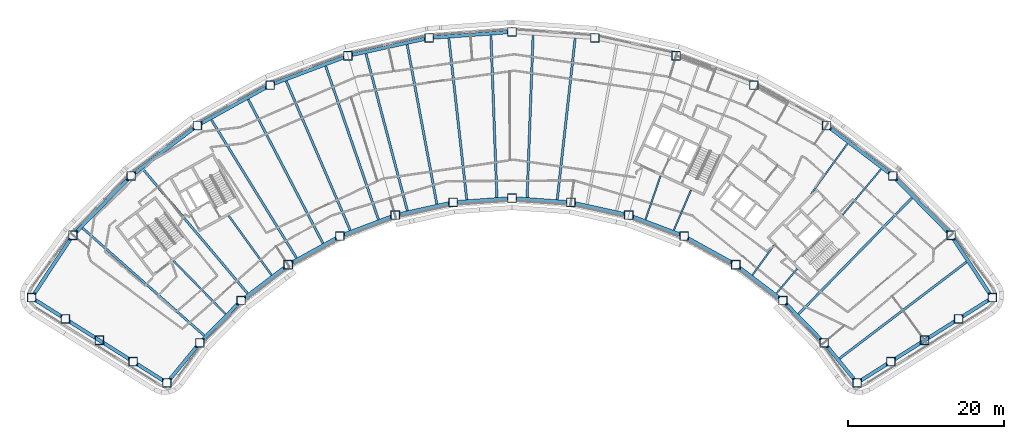
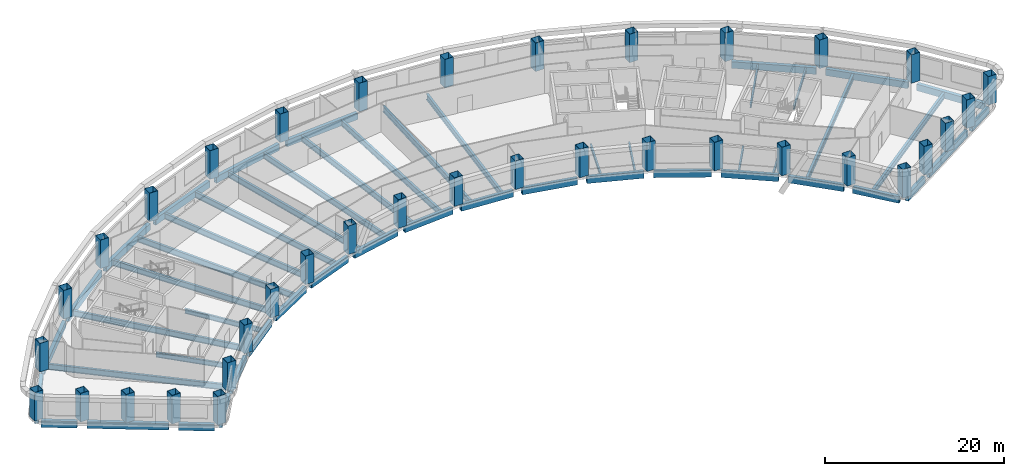
# One storey, part 1 of 12: 52 beams, 36 columns.
"""IFC4 building model written with IfcOpenShell, lengths in metres."""

from ifc_helpers import new_model, si_unit, direction, frame, origin, origin_2d, place, context, subcontext, project, spatial, hollow_rectangle, i_section, extrude, material, material_profile, profile_set, type_object, element, save


model = new_model("IFC4")

# Units and contexts
model_context = context("Model", 3, precision=1e-05, world=origin(), true_north=direction((0.0, 1.0)))
body_context = subcontext(model_context, "Body", "Model", "MODEL_VIEW")
ifc_project = project(units=[si_unit("LENGTHUNIT", "METRE"), si_unit("AREAUNIT", "SQUARE_METRE"), si_unit("VOLUMEUNIT", "CUBIC_METRE"), si_unit("PLANEANGLEUNIT", "RADIAN"), si_unit("MASSUNIT", "GRAM", prefix="KILO")], contexts=[model_context])

# Site, building, storey
site_placement = place(None, origin())
site = spatial("IfcSite", under=ifc_project, at=site_placement, CompositionType="ELEMENT")
building_placement = place(site_placement, origin())
building = spatial("IfcBuilding", under=site, at=building_placement, Name="Tuul Gate Civic Tower", CompositionType="ELEMENT")
storey_placement = place(building_placement, frame((0.0, 0.0, 103.5)))
storey = spatial("IfcBuildingStorey", under=building, at=storey_placement, Name="Level 23", CompositionType="ELEMENT", Elevation=103.5)

# Columns
ifc_material_1 = material(Name="Steel S355", Category="steel")
ifc_material_profile_1 = material_profile(ifc_material_1, hollow_rectangle(XDim=1.10009765625, YDim=1.10009765625, WallThickness=0.035888671875, at=origin_2d()), Name="BOX1100x1100x36")
ifc_profile_set_1 = profile_set([ifc_material_profile_1], Name="Steel S355")
column_type = type_object("IfcColumnType", Name="STR-COLUMN-BOX1100x1100x36", PredefinedType="COLUMN", material=ifc_profile_set_1)
for number, where, z_axis, x_axis, name in (
    (1, (71.5, -20.44189453125, 0.0), (0.0, 0.0, 1.0), (1.0, 0.0, 0.0), "Column"),
    (2, (66.200927734375, -12.428955078125, 0.0), (0.0, 0.0, 1.0), (1.0, 0.0, 0.0), "Column"),
    (3, (58.72607421875, -4.803955078125, 0.0), (0.0, 0.0, 1.0), (1.0, 0.0, 0.0), "Column"),
    (4, (50.23095703125, 1.6640625, 0.0), (0.0, 0.0, 1.0), (1.0, 0.0, 0.0), "Column"),
    (5, (40.89306640625, 6.840087890625, 0.0), (0.0, 0.0, 1.0), (1.0, 0.0, 0.0), "Column"),
    (6, (30.905029296875, 10.616943359375, 0.0), (0.0, 0.0, 1.0), (1.0, 0.0, 0.0), "Column"),
    (7, (20.47802734375, 12.9150390625, 0.0), (0.0, 0.0, 1.0), (1.0, 0.0, 0.0), "Column"),
    (8, (9.8291015625, 13.68603515625, 0.0), (0.0, 0.0, 1.0), (1.0, 0.0, 0.0), "Column"),
    (9, (-0.821044921875, 12.9150390625, 0.0), (0.0, 0.0, 1.0), (1.0, 0.0, 0.0), "Column"),
    (10, (-11.248046875, 10.616943359375, 0.0), (0.0, 0.0, 1.0), (1.0, 0.0, 0.0), "Column"),
    (11, (-21.235107421875, 6.840087890625, 0.0), (0.0, 0.0, 1.0), (1.0, 0.0, 0.0), "Column"),
    (12, (-30.573974609375, 1.6640625, 0.0), (0.0, 0.0, 1.0), (1.0, 0.0, 0.0), "Column"),
    (13, (-39.069091796875, -4.803955078125, 0.0), (0.0, 0.0, 1.0), (1.0, 0.0, 0.0), "Column"),
    (14, (-46.54296875, -12.428955078125, 0.0), (0.0, 0.0, 1.0), (1.0, 0.0, 0.0), "Column"),
    (15, (-51.842041015625, -20.44189453125, 0.0), (0.0, 0.0, 1.0), (1.0, 0.0, 0.0), "Column"),
    (16, (-47.5, -23.176025390625, 0.0), (0.0, 0.0, 1.0), (1.0, 0.0, 0.0), "Column"),
    (17, (-43.156982421875, -25.910888671875, 0.0), (0.0, 0.0, 1.0), (1.0, 0.0, 0.0), "Column"),
    (18, (-38.81494140625, -28.64599609375, 0.0), (0.0, 0.0, 1.0), (1.0, 0.0, 0.0), "Column"),
    (19, (-34.471923828125, -31.3798828125, 0.0), (0.0, 0.0, 1.0), (1.0, 0.0, 0.0), "Column"),
    (20, (-30.251953125, -26.238037109375, 0.0), (0.0, 0.0, 1.0), (1.0, 0.0, 0.0), "Column"),
    (21, (-24.93798828125, -20.81689453125, 0.0), (0.0, 0.0, 1.0), (1.0, 0.0, 0.0), "Column"),
    (22, (-18.89794921875, -16.218017578125, 0.0), (0.0, 0.0, 1.0), (1.0, 0.0, 0.0), "Column"),
    (23, (-12.258056640625, -12.537109375, 0.0), (0.0, 0.0, 1.0), (1.0, 0.0, 0.0), "Column"),
    (24, (-5.156982421875, -9.85205078125, 0.0), (0.0, 0.0, 1.0), (1.0, 0.0, 0.0), "Column"),
    (25, (2.257080078125, -8.218017578125, 0.0), (0.0, 0.0, 1.0), (1.0, 0.0, 0.0), "Column"),
    (26, (9.8291015625, -7.6689453125, 0.0), (0.0, 0.0, 1.0), (1.0, 0.0, 0.0), "Column"),
    (27, (17.40087890625, -8.218017578125, 0.0), (0.0, 0.0, 1.0), (1.0, 0.0, 0.0), "Column"),
    (28, (24.81494140625, -9.85205078125, 0.0), (0.0, 0.0, 1.0), (1.0, 0.0, 0.0), "Column"),
    (29, (31.9150390625, -12.537109375, 0.0), (0.0, 0.0, 1.0), (1.0, 0.0, 0.0), "Column"),
    (30, (38.554931640625, -16.218017578125, 0.0), (0.0, 0.0, 1.0), (1.0, 0.0, 0.0), "Column"),
    (31, (44.595947265625, -20.81689453125, 0.0), (0.0, 0.0, 1.0), (1.0, 0.0, 0.0), "Column"),
    (32, (49.909912109375, -26.238037109375, 0.0), (0.0, 0.0, 1.0), (1.0, 0.0, 0.0), "Column"),
    (33, (54.1298828125, -31.3798828125, 0.0), (0.0, 0.0, 1.0), (1.0, 0.0, 0.0), "Column"),
    (34, (58.471923828125, -28.64599609375, 0.0), (0.0, 0.0, 1.0), (1.0, 0.0, 0.0), "Column"),
    (35, (62.81494140625, -25.910888671875, 0.0), (0.0, 0.0, 1.0), (1.0, 0.0, 0.0), "Column"),
    (36, (67.156982421875, -23.176025390625, 0.0), (0.0, 0.0, 1.0), (1.0, 0.0, 0.0), "Column"),
):
    element("IfcColumn", number, at=place(storey_placement, frame(where, z_axis=z_axis, x_axis=x_axis)), inside=storey, type_object=column_type, Name=name, PredefinedType="COLUMN", context=body_context, shape_type="SweptSolid", body=[
        extrude(hollow_rectangle(XDim=1.10009765625, YDim=1.10009765625, WallThickness=0.035888671875, at=origin_2d()), origin(), (0.0, 0.0, 1.0), 3.89990234375),
    ])

# Beams
ifc_material_2 = material(Name="Steel S355", Category="steel")
ifc_material_profile_2 = material_profile(ifc_material_2, i_section(OverallWidth=0.199951171875, OverallDepth=0.5, WebThickness=0.010009765625, FlangeThickness=0.01611328125, at=origin_2d()), Name="PG500x200x10x16")
ifc_profile_set_2 = profile_set([ifc_material_profile_2], Name="Steel S355")
beam_type_1 = type_object("IfcBeamType", Name="STR-FLOOR BEAM-PG500x200x10x16", PredefinedType="BEAM", material=ifc_profile_set_2)
beam_1_placement = place(storey_placement, frame((43.78662109375, -19.88671875, -0.550048828125), z_axis=(0.644164873832, 0.764886668286, 0.0), x_axis=(-0.764886668286, 0.644164873832, 0.0)))
element("IfcBeam", 37, at=beam_1_placement, inside=storey, type_object=beam_type_1, Name="Floor beam", PredefinedType="BEAM", context=body_context, shape_type="SweptSolid", body=[
    extrude(i_section(OverallWidth=0.199951171875, OverallDepth=0.5, WebThickness=0.010009765625, FlangeThickness=0.01611328125, at=origin_2d()), origin(), (0.0, 0.0, 1.0), 4.129638671875),
])
beam_2_placement = place(storey_placement, frame((52.270263671875, -9.812255859375, -0.550048828125), z_axis=(0.644131817174, 0.764914506402, 0.0), x_axis=(-0.764914506402, 0.644131817174, 0.0)))
element("IfcBeam", 38, at=beam_2_placement, inside=storey, type_object=beam_type_1, Name="Floor beam", PredefinedType="BEAM", context=body_context, shape_type="SweptSolid", body=[
    extrude(i_section(OverallWidth=0.199951171875, OverallDepth=0.5, WebThickness=0.010009765625, FlangeThickness=0.01611328125, at=origin_2d()), origin(), (0.0, 0.0, 1.0), 7.65478515625),
])
beam_3_placement = place(storey_placement, frame((40.6982421875, -17.535400390625, -0.550048828125), z_axis=(0.586092436702, 0.810244195068, 0.0), x_axis=(-0.810244195068, 0.586092436702, 0.0)))
element("IfcBeam", 39, at=beam_3_placement, inside=storey, type_object=beam_type_1, Name="Floor beam", PredefinedType="BEAM", context=body_context, shape_type="SweptSolid", body=[
    extrude(i_section(OverallWidth=0.199951171875, OverallDepth=0.5, WebThickness=0.010009765625, FlangeThickness=0.01611328125, at=origin_2d()), origin(), (0.0, 0.0, 1.0), 4.73779296875),
])
beam_4_placement = place(storey_placement, frame((48.2353515625, -7.11572265625, -0.550048828125), z_axis=(0.586078163081, 0.810254519741, 0.0), x_axis=(-0.810254519741, 0.586078163081, 0.0)))
element("IfcBeam", 40, at=beam_4_placement, inside=storey, type_object=beam_type_1, Name="Floor beam", PredefinedType="BEAM", context=body_context, shape_type="SweptSolid", body=[
    extrude(i_section(OverallWidth=0.199951171875, OverallDepth=0.5, WebThickness=0.010009765625, FlangeThickness=0.01611328125, at=origin_2d()), origin(), (0.0, 0.0, 1.0), 7.94677734375),
])
beam_5_placement = place(storey_placement, frame((30.60546875, -11.7744140625, -0.550048828125), z_axis=(0.394202846621, 0.919023457653, 0.0), x_axis=(-0.919023457653, 0.394202846621, 0.0)))
element("IfcBeam", 41, at=beam_5_placement, inside=storey, type_object=beam_type_1, Name="Floor beam", PredefinedType="BEAM", context=body_context, shape_type="SweptSolid", body=[
    extrude(i_section(OverallWidth=0.199951171875, OverallDepth=0.5, WebThickness=0.010009765625, FlangeThickness=0.01611328125, at=origin_2d()), origin(), (0.0, 0.0, 1.0), 5.611083984375),
])
beam_6_placement = place(storey_placement, frame((26.97509765625, -10.401611328125, -0.550048828125), z_axis=(0.325486996398, 0.945546516664, 0.0), x_axis=(-0.945546516664, 0.325486996398, 0.0)))
element("IfcBeam", 42, at=beam_6_placement, inside=storey, type_object=beam_type_1, Name="Floor beam", PredefinedType="BEAM", context=body_context, shape_type="SweptSolid", body=[
    extrude(i_section(OverallWidth=0.199951171875, OverallDepth=0.5, WebThickness=0.010009765625, FlangeThickness=0.01611328125, at=origin_2d()), origin(), (0.0, 0.0, 1.0), 5.930908203125),
])
ifc_material_3 = material(Name="Steel S355", Category="steel")
ifc_material_profile_3 = material_profile(ifc_material_3, i_section(OverallWidth=0.25, OverallDepth=0.64990234375, WebThickness=0.011962890625, FlangeThickness=0.02001953125, at=origin_2d()), Name="PG650x250x12x20")
ifc_profile_set_3 = profile_set([ifc_material_profile_3], Name="Steel S355")
beam_type_2 = type_object("IfcBeamType", Name="STR-FLOOR BEAM-PG650x250x12x20", PredefinedType="BEAM", material=ifc_profile_set_3)
beam_7_placement = place(storey_placement, frame((-21.040771484375, -17.53515625, -0.625), z_axis=(-0.586071957424, 0.810259008417, 0.0), x_axis=(-0.810259008417, -0.586071957424, 0.0)))
element("IfcBeam", 43, at=beam_7_placement, inside=storey, type_object=beam_type_2, Name="Floor beam", PredefinedType="BEAM", context=body_context, shape_type="SweptSolid", body=[
    extrude(i_section(OverallWidth=0.25, OverallDepth=0.64990234375, WebThickness=0.011962890625, FlangeThickness=0.02001953125, at=origin_2d()), origin(), (0.0, 0.0, 1.0), 9.4111328125),
])
beam_8_placement = place(storey_placement, frame((-26.96923828125, -22.531982421875, -0.625), z_axis=(-0.698693179665, 0.715421442711, 0.0), x_axis=(-0.715421442711, -0.698693179665, 0.0)))
element("IfcBeam", 44, at=beam_8_placement, inside=storey, type_object=beam_type_2, Name="Floor beam", PredefinedType="BEAM", context=body_context, shape_type="SweptSolid", body=[
    extrude(i_section(OverallWidth=0.25, OverallDepth=0.64990234375, WebThickness=0.011962890625, FlangeThickness=0.02001953125, at=origin_2d()), origin(), (0.0, 0.0, 1.0), 9.5302734375),
])
ifc_material_4 = material(Name="Steel S355", Category="steel")
ifc_material_profile_4 = material_profile(ifc_material_4, i_section(OverallWidth=0.300048828125, OverallDepth=0.800048828125, WebThickness=0.013916015625, FlangeThickness=0.02490234375, at=origin_2d()), Name="PG800x300x14x25")
ifc_profile_set_4 = profile_set([ifc_material_profile_4], Name="Steel S355")
beam_type_3 = type_object("IfcBeamType", Name="STR-FLOOR BEAM-PG800x300x14x25", PredefinedType="BEAM", material=ifc_profile_set_4)
beam_9_placement = place(storey_placement, frame((51.8837890625, -28.2490234375, -0.699951171875), z_axis=(0.796146559843, 0.605103838403, 0.0), x_axis=(-0.605103838403, 0.796146559843, 0.0)))
element("IfcBeam", 45, at=beam_9_placement, inside=storey, type_object=beam_type_3, Name="Floor beam", PredefinedType="BEAM", context=body_context, shape_type="SweptSolid", body=[
    extrude(i_section(OverallWidth=0.300048828125, OverallDepth=0.800048828125, WebThickness=0.013916015625, FlangeThickness=0.02490234375, at=origin_2d()), origin(), (0.0, 0.0, 1.0), 20.46240234375),
])
beam_10_placement = place(storey_placement, frame((46.627197265625, -22.531982421875, -0.699951171875), z_axis=(0.698684495675, 0.715429923544, 0.0), x_axis=(-0.715429923544, 0.698684495675, 0.0)))
element("IfcBeam", 46, at=beam_10_placement, inside=storey, type_object=beam_type_3, Name="Floor beam", PredefinedType="BEAM", context=body_context, shape_type="SweptSolid", body=[
    extrude(i_section(OverallWidth=0.300048828125, OverallDepth=0.800048828125, WebThickness=0.013916015625, FlangeThickness=0.02490234375, at=origin_2d()), origin(), (0.0, 0.0, 1.0), 20.804931640625),
])
beam_11_placement = place(storey_placement, frame((15.64013671875, -7.839599609375, -0.699951171875), z_axis=(0.110288630292, 0.993899601584, 0.0), x_axis=(-0.993899601584, 0.110288630292, 0.0)))
element("IfcBeam", 47, at=beam_11_placement, inside=storey, type_object=beam_type_3, Name="Floor beam", PredefinedType="BEAM", context=body_context, shape_type="SweptSolid", body=[
    extrude(i_section(OverallWidth=0.300048828125, OverallDepth=0.800048828125, WebThickness=0.013916015625, FlangeThickness=0.02490234375, at=origin_2d()), origin(), (0.0, 0.0, 1.0), 20.81494140625),
])
for number, where, z_axis, x_axis, name in (
    (48, (11.769287109375, -7.55908203125, -0.699951171875), (0.036833774102, 0.999321406298, 0.0), (-0.999321406298, 0.036833774102, 0.0), "Floor beam"),
    (49, (7.888427734375, -7.55908203125, -0.699951171875), (-0.036822059508, 0.999321838015, 0.0), (-0.999321838015, -0.036822059508, 0.0), "Floor beam"),
):
    element("IfcBeam", number, at=place(storey_placement, frame(where, z_axis=z_axis, x_axis=x_axis)), inside=storey, type_object=beam_type_3, Name=name, PredefinedType="BEAM", context=body_context, shape_type="SweptSolid", body=[
        extrude(i_section(OverallWidth=0.300048828125, OverallDepth=0.800048828125, WebThickness=0.013916015625, FlangeThickness=0.02490234375, at=origin_2d()), origin(), (0.0, 0.0, 1.0), 20.8125),
    ])
beam_12_placement = place(storey_placement, frame((4.017578125, -7.839599609375, -0.699951171875), z_axis=(-0.110277043848, 0.993900887212, 0.0), x_axis=(-0.993900887212, -0.110277043848, 0.0)))
element("IfcBeam", 50, at=beam_12_placement, inside=storey, type_object=beam_type_3, Name="Floor beam", PredefinedType="BEAM", context=body_context, shape_type="SweptSolid", body=[
    extrude(i_section(OverallWidth=0.300048828125, OverallDepth=0.800048828125, WebThickness=0.013916015625, FlangeThickness=0.02490234375, at=origin_2d()), origin(), (0.0, 0.0, 1.0), 20.81494140625),
])
beam_13_placement = place(storey_placement, frame((0.180419921875, -8.419677734375, -0.699951171875), z_axis=(-0.183145230157, 0.983085868412, 0.0), x_axis=(-0.983085868412, -0.183145230157, 0.0)))
element("IfcBeam", 51, at=beam_13_placement, inside=storey, type_object=beam_type_3, Name="Floor beam", PredefinedType="BEAM", context=body_context, shape_type="SweptSolid", body=[
    extrude(i_section(OverallWidth=0.300048828125, OverallDepth=0.800048828125, WebThickness=0.013916015625, FlangeThickness=0.02490234375, at=origin_2d()), origin(), (0.0, 0.0, 1.0), 20.8115234375),
])
beam_14_placement = place(storey_placement, frame((-3.609619140625, -9.2548828125, -0.699951171875), z_axis=(-0.255004720301, 0.96693980817, 0.0), x_axis=(-0.96693980817, -0.255004720301, 0.0)))
element("IfcBeam", 52, at=beam_14_placement, inside=storey, type_object=beam_type_3, Name="Floor beam", PredefinedType="BEAM", context=body_context, shape_type="SweptSolid", body=[
    extrude(i_section(OverallWidth=0.300048828125, OverallDepth=0.800048828125, WebThickness=0.013916015625, FlangeThickness=0.02490234375, at=origin_2d()), origin(), (0.0, 0.0, 1.0), 20.817626953125),
])
beam_15_placement = place(storey_placement, frame((-7.3173828125, -10.401611328125, -0.699951171875), z_axis=(-0.325486974479, 0.945546524209, 0.0), x_axis=(-0.945546524209, -0.325486974479, 0.0)))
element("IfcBeam", 53, at=beam_15_placement, inside=storey, type_object=beam_type_3, Name="Floor beam", PredefinedType="BEAM", context=body_context, shape_type="SweptSolid", body=[
    extrude(i_section(OverallWidth=0.300048828125, OverallDepth=0.800048828125, WebThickness=0.013916015625, FlangeThickness=0.02490234375, at=origin_2d()), origin(), (0.0, 0.0, 1.0), 20.809326171875),
])
beam_16_placement = place(storey_placement, frame((-10.94775390625, -11.774169921875, -0.699951171875), z_axis=(-0.394200920337, 0.919024283904, 0.0), x_axis=(-0.919024283904, -0.394200920337, 0.0)))
element("IfcBeam", 54, at=beam_16_placement, inside=storey, type_object=beam_type_3, Name="Floor beam", PredefinedType="BEAM", context=body_context, shape_type="SweptSolid", body=[
    extrude(i_section(OverallWidth=0.300048828125, OverallDepth=0.800048828125, WebThickness=0.013916015625, FlangeThickness=0.02490234375, at=origin_2d()), origin(), (0.0, 0.0, 1.0), 20.8193359375),
])
beam_17_placement = place(storey_placement, frame((-14.442626953125, -13.462158203125, -0.699951171875), z_axis=(-0.460777059353, 0.887515916237, 0.0), x_axis=(-0.887515916237, -0.460777059353, 0.0)))
element("IfcBeam", 55, at=beam_17_placement, inside=storey, type_object=beam_type_3, Name="Floor beam", PredefinedType="BEAM", context=body_context, shape_type="SweptSolid", body=[
    extrude(i_section(OverallWidth=0.300048828125, OverallDepth=0.800048828125, WebThickness=0.013916015625, FlangeThickness=0.02490234375, at=origin_2d()), origin(), (0.0, 0.0, 1.0), 20.8076171875),
])
beam_18_placement = place(storey_placement, frame((-17.837158203125, -15.343994140625, -0.699951171875), z_axis=(-0.524856706834, 0.851190599861, 0.0), x_axis=(-0.851190599861, -0.524856706834, 0.0)))
element("IfcBeam", 56, at=beam_18_placement, inside=storey, type_object=beam_type_3, Name="Floor beam", PredefinedType="BEAM", context=body_context, shape_type="SweptSolid", body=[
    extrude(i_section(OverallWidth=0.300048828125, OverallDepth=0.800048828125, WebThickness=0.013916015625, FlangeThickness=0.02490234375, at=origin_2d()), origin(), (0.0, 0.0, 1.0), 20.82275390625),
])
beam_19_placement = place(storey_placement, frame((-24.12890625, -19.88671875, -0.699951171875), z_axis=(-0.644132135775, 0.764914238109, 0.0), x_axis=(-0.764914238109, -0.644132135775, 0.0)))
element("IfcBeam", 57, at=beam_19_placement, inside=storey, type_object=beam_type_3, Name="Floor beam", PredefinedType="BEAM", context=body_context, shape_type="SweptSolid", body=[
    extrude(i_section(OverallWidth=0.300048828125, OverallDepth=0.800048828125, WebThickness=0.013916015625, FlangeThickness=0.02490234375, at=origin_2d()), origin(), (0.0, 0.0, 1.0), 20.82568359375),
])
beam_20_placement = place(storey_placement, frame((-29.686767578125, -25.30419921875, -0.699951171875), z_axis=(-0.749447427269, 0.662063859277, 0.0), x_axis=(-0.662063859277, -0.749447427269, 0.0)))
element("IfcBeam", 58, at=beam_20_placement, inside=storey, type_object=beam_type_3, Name="Floor beam", PredefinedType="BEAM", context=body_context, shape_type="SweptSolid", body=[
    extrude(i_section(OverallWidth=0.300048828125, OverallDepth=0.800048828125, WebThickness=0.013916015625, FlangeThickness=0.02490234375, at=origin_2d()), origin(), (0.0, 0.0, 1.0), 20.82861328125),
])
ifc_material_5 = material(Name="Steel S355", Category="steel")
ifc_material_profile_5 = material_profile(ifc_material_5, hollow_rectangle(XDim=0.449951171875, YDim=0.89990234375, WallThickness=0.02490234375, at=origin_2d()), Name="BOX900x450x25")
ifc_profile_set_5 = profile_set([ifc_material_profile_5], Name="Steel S355")
beam_type_4 = type_object("IfcBeamType", Name="STR-SPANDREL BEAM-BOX900x450x25", PredefinedType="BEAM", material=ifc_profile_set_5)
beam_21_placement = place(storey_placement, frame((71.196533203125, -19.983154296875, -0.75), z_axis=(-0.551590080745, 0.83411532945, 0.0), x_axis=(-0.83411532945, -0.551590080745, 0.0)))
element("IfcBeam", 59, at=beam_21_placement, inside=storey, type_object=beam_type_4, Name="Spandrel beam", PredefinedType="BEAM", context=body_context, shape_type="SweptSolid", body=[
    extrude(hollow_rectangle(XDim=0.449951171875, YDim=0.89990234375, WallThickness=0.02490234375, at=origin_2d()), origin(), (0.0, 0.0, 1.0), 8.506591796875),
])
beam_22_placement = place(storey_placement, frame((65.81591796875, -12.0361328125, -0.75), z_axis=(-0.700049238086, 0.714094576548, 0.0), x_axis=(-0.714094576548, -0.700049238086, 0.0)))
element("IfcBeam", 60, at=beam_22_placement, inside=storey, type_object=beam_type_4, Name="Spandrel beam", PredefinedType="BEAM", context=body_context, shape_type="SweptSolid", body=[
    extrude(hollow_rectangle(XDim=0.449951171875, YDim=0.89990234375, WallThickness=0.02490234375, at=origin_2d()), origin(), (0.0, 0.0, 1.0), 9.57763671875),
])
beam_23_placement = place(storey_placement, frame((58.288330078125, -4.470703125, -0.75), z_axis=(-0.795628890165, 0.605784342101, 0.0), x_axis=(-0.605784342101, -0.795628890165, 0.0)))
element("IfcBeam", 61, at=beam_23_placement, inside=storey, type_object=beam_type_4, Name="Spandrel beam", PredefinedType="BEAM", context=body_context, shape_type="SweptSolid", body=[
    extrude(hollow_rectangle(XDim=0.449951171875, YDim=0.89990234375, WallThickness=0.02490234375, at=origin_2d()), origin(), (0.0, 0.0, 1.0), 9.576904296875),
])
beam_24_placement = place(storey_placement, frame((9.280517578125, 13.646240234375, -0.75), z_axis=(-0.997391103387, -0.072187165652, 0.0), x_axis=(0.072187165652, -0.997391103387, 0.0)))
element("IfcBeam", 62, at=beam_24_placement, inside=storey, type_object=beam_type_4, Name="Spandrel beam", PredefinedType="BEAM", context=body_context, shape_type="SweptSolid", body=[
    extrude(hollow_rectangle(XDim=0.449951171875, YDim=0.89990234375, WallThickness=0.02490234375, at=origin_2d()), origin(), (0.0, 0.0, 1.0), 9.577880859375),
])
for number, where, z_axis, x_axis, name in (
    (63, (-1.358154296875, 12.796630859375, -0.75), (-0.976564052188, -0.215226977802, 0.0), (0.215226977802, -0.976564052188, 0.0), "Spandrel beam"),
    (64, (-11.762451171875, 10.42236328125, -0.75), (-0.935349182436, -0.353725750994, 0.0), (0.353725750994, -0.935349182436, 0.0), "Spandrel beam"),
):
    element("IfcBeam", number, at=place(storey_placement, frame(where, z_axis=z_axis, x_axis=x_axis)), inside=storey, type_object=beam_type_4, Name=name, PredefinedType="BEAM", context=body_context, shape_type="SweptSolid", body=[
        extrude(hollow_rectangle(XDim=0.449951171875, YDim=0.89990234375, WallThickness=0.02490234375, at=origin_2d()), origin(), (0.0, 0.0, 1.0), 9.5771484375),
    ])
beam_25_placement = place(storey_placement, frame((-21.716064453125, 6.573486328125, -0.75), z_axis=(-0.874646210848, -0.484761803208, 0.0), x_axis=(0.484761803208, -0.874646210848, 0.0)))
element("IfcBeam", 65, at=beam_25_placement, inside=storey, type_object=beam_type_4, Name="Spandrel beam", PredefinedType="BEAM", context=body_context, shape_type="SweptSolid", body=[
    extrude(hollow_rectangle(XDim=0.449951171875, YDim=0.89990234375, WallThickness=0.02490234375, at=origin_2d()), origin(), (0.0, 0.0, 1.0), 9.57763671875),
])
beam_26_placement = place(storey_placement, frame((-31.011474609375, 1.330810546875, -0.75), z_axis=(-0.795638245076, -0.605772055292, 0.0), x_axis=(0.605772055292, -0.795638245076, 0.0)))
element("IfcBeam", 66, at=beam_26_placement, inside=storey, type_object=beam_type_4, Name="Spandrel beam", PredefinedType="BEAM", context=body_context, shape_type="SweptSolid", body=[
    extrude(hollow_rectangle(XDim=0.449951171875, YDim=0.89990234375, WallThickness=0.02490234375, at=origin_2d()), origin(), (0.0, 0.0, 1.0), 9.5771484375),
])
beam_27_placement = place(storey_placement, frame((-39.4541015625, -5.19677734375, -0.75), z_axis=(-0.699997238657, -0.714145549501, 0.0), x_axis=(0.714145549501, -0.699997238657, 0.0)))
element("IfcBeam", 67, at=beam_27_placement, inside=storey, type_object=beam_type_4, Name="Spandrel beam", PredefinedType="BEAM", context=body_context, shape_type="SweptSolid", body=[
    extrude(hollow_rectangle(XDim=0.449951171875, YDim=0.89990234375, WallThickness=0.02490234375, at=origin_2d()), origin(), (0.0, 0.0, 1.0), 9.576904296875),
])
beam_28_placement = place(storey_placement, frame((-46.846435546875, -12.8876953125, -0.75), z_axis=(-0.551590080745, -0.83411532945, 0.0), x_axis=(0.83411532945, -0.551590080745, 0.0)))
element("IfcBeam", 68, at=beam_28_placement, inside=storey, type_object=beam_type_4, Name="Spandrel beam", PredefinedType="BEAM", context=body_context, shape_type="SweptSolid", body=[
    extrude(hollow_rectangle(XDim=0.449951171875, YDim=0.89990234375, WallThickness=0.02490234375, at=origin_2d()), origin(), (0.0, 0.0, 1.0), 8.506591796875),
])
beam_29_placement = place(storey_placement, frame((-51.37646484375, -20.735107421875, -0.75), z_axis=(0.846210588651, -0.532848608571, 0.0), x_axis=(0.532848608571, 0.846210588651, 0.0)))
element("IfcBeam", 69, at=beam_29_placement, inside=storey, type_object=beam_type_4, Name="Spandrel beam", PredefinedType="BEAM", context=body_context, shape_type="SweptSolid", body=[
    extrude(hollow_rectangle(XDim=0.449951171875, YDim=0.89990234375, WallThickness=0.02490234375, at=origin_2d()), origin(), (0.0, 0.0, 1.0), 4.031005859375),
])
beam_30_placement = place(storey_placement, frame((-47.03466796875, -23.468994140625, -0.75), z_axis=(0.846164320765, -0.53292207898, 0.0), x_axis=(0.53292207898, 0.846164320765, 0.0)))
element("IfcBeam", 70, at=beam_30_placement, inside=storey, type_object=beam_type_4, Name="Spandrel beam", PredefinedType="BEAM", context=body_context, shape_type="SweptSolid", body=[
    extrude(hollow_rectangle(XDim=0.449951171875, YDim=0.89990234375, WallThickness=0.02490234375, at=origin_2d()), origin(), (0.0, 0.0, 1.0), 9.1640625),
])
beam_31_placement = place(storey_placement, frame((-38.349609375, -28.93896484375, -0.75), z_axis=(0.846279351523, -0.532739391435, 0.0), x_axis=(0.532739391435, 0.846279351523, 0.0)))
element("IfcBeam", 71, at=beam_31_placement, inside=storey, type_object=beam_type_4, Name="Spandrel beam", PredefinedType="BEAM", context=body_context, shape_type="SweptSolid", body=[
    extrude(hollow_rectangle(XDim=0.449951171875, YDim=0.89990234375, WallThickness=0.02490234375, at=origin_2d()), origin(), (0.0, 0.0, 1.0), 4.031982421875),
])
beam_32_placement = place(storey_placement, frame((-34.123046875, -30.954833984375, -0.75), z_axis=(0.634400839416, 0.773004252866, 0.0), x_axis=(-0.773004252866, 0.634400839416, 0.0)))
element("IfcBeam", 72, at=beam_32_placement, inside=storey, type_object=beam_type_4, Name="Spandrel beam", PredefinedType="BEAM", context=body_context, shape_type="SweptSolid", body=[
    extrude(hollow_rectangle(XDim=0.449951171875, YDim=0.89990234375, WallThickness=0.02490234375, at=origin_2d()), origin(), (0.0, 0.0, 1.0), 5.552001953125),
])
beam_33_placement = place(storey_placement, frame((-29.866943359375, -25.84521484375, -0.75), z_axis=(0.700019515807, 0.714123713014, 0.0), x_axis=(-0.714123713014, 0.700019515807, 0.0)))
element("IfcBeam", 73, at=beam_33_placement, inside=storey, type_object=beam_type_4, Name="Spandrel beam", PredefinedType="BEAM", context=body_context, shape_type="SweptSolid", body=[
    extrude(hollow_rectangle(XDim=0.449951171875, YDim=0.89990234375, WallThickness=0.02490234375, at=origin_2d()), origin(), (0.0, 0.0, 1.0), 6.4912109375),
])
beam_34_placement = place(storey_placement, frame((-24.50048828125, -20.48388671875, -0.75), z_axis=(0.795614709781, 0.605802965972, 0.0), x_axis=(-0.605802965972, 0.795614709781, 0.0)))
element("IfcBeam", 74, at=beam_34_placement, inside=storey, type_object=beam_type_4, Name="Spandrel beam", PredefinedType="BEAM", context=body_context, shape_type="SweptSolid", body=[
    extrude(hollow_rectangle(XDim=0.449951171875, YDim=0.89990234375, WallThickness=0.02490234375, at=origin_2d()), origin(), (0.0, 0.0, 1.0), 6.49169921875),
])
beam_35_placement = place(storey_placement, frame((-18.4169921875, -15.951416015625, -0.75), z_axis=(0.874596833749, 0.484850882639, 0.0), x_axis=(-0.484850882639, 0.874596833749, 0.0)))
element("IfcBeam", 75, at=beam_35_placement, inside=storey, type_object=beam_type_4, Name="Spandrel beam", PredefinedType="BEAM", context=body_context, shape_type="SweptSolid", body=[
    extrude(hollow_rectangle(XDim=0.449951171875, YDim=0.89990234375, WallThickness=0.02490234375, at=origin_2d()), origin(), (0.0, 0.0, 1.0), 6.4921875),
])
beam_36_placement = place(storey_placement, frame((-11.74365234375, -12.342529296875, -0.75), z_axis=(0.935373699363, 0.353660914635, 0.0), x_axis=(-0.353660914635, 0.935373699363, 0.0)))
element("IfcBeam", 76, at=beam_36_placement, inside=storey, type_object=beam_type_4, Name="Spandrel beam", PredefinedType="BEAM", context=body_context, shape_type="SweptSolid", body=[
    extrude(hollow_rectangle(XDim=0.449951171875, YDim=0.89990234375, WallThickness=0.02490234375, at=origin_2d()), origin(), (0.0, 0.0, 1.0), 6.49169921875),
])
for number, where, z_axis, x_axis, name in (
    (77, (-4.619873046875, -9.733642578125, -0.75), (0.976565169857, 0.215221906465, 0.0), (-0.215221906465, 0.976565169857, 0.0), "Spandrel beam"),
    (78, (2.8056640625, -8.17822265625, -0.75), (0.99738157331, 0.072318719712, 0.0), (-0.072318719712, 0.99738157331, 0.0), "Spandrel beam"),
):
    element("IfcBeam", number, at=place(storey_placement, frame(where, z_axis=z_axis, x_axis=x_axis)), inside=storey, type_object=beam_type_4, Name=name, PredefinedType="BEAM", context=body_context, shape_type="SweptSolid", body=[
        extrude(hollow_rectangle(XDim=0.449951171875, YDim=0.89990234375, WallThickness=0.02490234375, at=origin_2d()), origin(), (0.0, 0.0, 1.0), 6.491943359375),
    ])
beam_37_placement = place(storey_placement, frame((10.37744140625, -7.708740234375, -0.75), z_axis=(0.997381769985, -0.072316007227, 0.0), x_axis=(0.072316007227, 0.997381769985, 0.0)))
element("IfcBeam", 79, at=beam_37_placement, inside=storey, type_object=beam_type_4, Name="Spandrel beam", PredefinedType="BEAM", context=body_context, shape_type="SweptSolid", body=[
    extrude(hollow_rectangle(XDim=0.449951171875, YDim=0.89990234375, WallThickness=0.02490234375, at=origin_2d()), origin(), (0.0, 0.0, 1.0), 6.4921875),
])
beam_38_placement = place(storey_placement, frame((17.93798828125, -8.33642578125, -0.75), z_axis=(0.976565169857, -0.215221906465, 0.0), x_axis=(0.215221906465, 0.976565169857, 0.0)))
element("IfcBeam", 80, at=beam_38_placement, inside=storey, type_object=beam_type_4, Name="Spandrel beam", PredefinedType="BEAM", context=body_context, shape_type="SweptSolid", body=[
    extrude(hollow_rectangle(XDim=0.449951171875, YDim=0.89990234375, WallThickness=0.02490234375, at=origin_2d()), origin(), (0.0, 0.0, 1.0), 6.491943359375),
])
beam_39_placement = place(storey_placement, frame((25.329345703125, -10.046630859375, -0.75), z_axis=(0.935354880203, -0.353710684149, 0.0), x_axis=(0.353710684149, 0.935354880203, 0.0)))
element("IfcBeam", 81, at=beam_39_placement, inside=storey, type_object=beam_type_4, Name="Spandrel beam", PredefinedType="BEAM", context=body_context, shape_type="SweptSolid", body=[
    extrude(hollow_rectangle(XDim=0.449951171875, YDim=0.89990234375, WallThickness=0.02490234375, at=origin_2d()), origin(), (0.0, 0.0, 1.0), 6.490966796875),
])
beam_40_placement = place(storey_placement, frame((32.39599609375, -12.8037109375, -0.75), z_axis=(0.874596833749, -0.484850882639, 0.0), x_axis=(0.484850882639, 0.874596833749, 0.0)))
element("IfcBeam", 82, at=beam_40_placement, inside=storey, type_object=beam_type_4, Name="Spandrel beam", PredefinedType="BEAM", context=body_context, shape_type="SweptSolid", body=[
    extrude(hollow_rectangle(XDim=0.449951171875, YDim=0.89990234375, WallThickness=0.02490234375, at=origin_2d()), origin(), (0.0, 0.0, 1.0), 6.4921875),
])
beam_41_placement = place(storey_placement, frame((38.99267578125, -16.55126953125, -0.75), z_axis=(0.79566990921, -0.605730464462, 0.0), x_axis=(0.605730464462, 0.79566990921, 0.0)))
element("IfcBeam", 83, at=beam_41_placement, inside=storey, type_object=beam_type_4, Name="Spandrel beam", PredefinedType="BEAM", context=body_context, shape_type="SweptSolid", body=[
    extrude(hollow_rectangle(XDim=0.449951171875, YDim=0.89990234375, WallThickness=0.02490234375, at=origin_2d()), origin(), (0.0, 0.0, 1.0), 6.492431640625),
])
beam_42_placement = place(storey_placement, frame((44.98095703125, -21.209716796875, -0.75), z_axis=(0.700019515807, -0.714123713014, 0.0), x_axis=(0.714123713014, 0.700019515807, 0.0)))
element("IfcBeam", 84, at=beam_42_placement, inside=storey, type_object=beam_type_4, Name="Spandrel beam", PredefinedType="BEAM", context=body_context, shape_type="SweptSolid", body=[
    extrude(hollow_rectangle(XDim=0.449951171875, YDim=0.89990234375, WallThickness=0.02490234375, at=origin_2d()), origin(), (0.0, 0.0, 1.0), 6.4912109375),
])
beam_43_placement = place(storey_placement, frame((50.259033203125, -26.6630859375, -0.75), z_axis=(0.634374562786, -0.773025817221, 0.0), x_axis=(0.773025817221, 0.634374562786, 0.0)))
element("IfcBeam", 85, at=beam_43_placement, inside=storey, type_object=beam_type_4, Name="Spandrel beam", PredefinedType="BEAM", context=body_context, shape_type="SweptSolid", body=[
    extrude(hollow_rectangle(XDim=0.449951171875, YDim=0.89990234375, WallThickness=0.02490234375, at=origin_2d()), origin(), (0.0, 0.0, 1.0), 5.552001953125),
])
beam_44_placement = place(storey_placement, frame((54.595458984375, -31.0869140625, -0.75), z_axis=(0.846210588651, 0.532848608571, 0.0), x_axis=(-0.532848608571, 0.846210588651, 0.0)))
element("IfcBeam", 86, at=beam_44_placement, inside=storey, type_object=beam_type_4, Name="Spandrel beam", PredefinedType="BEAM", context=body_context, shape_type="SweptSolid", body=[
    extrude(hollow_rectangle(XDim=0.449951171875, YDim=0.89990234375, WallThickness=0.02490234375, at=origin_2d()), origin(), (0.0, 0.0, 1.0), 4.031005859375),
])
beam_45_placement = place(storey_placement, frame((58.9375, -28.352783203125, -0.75), z_axis=(0.84615675437, 0.53293409258, 0.0), x_axis=(-0.53293409258, 0.84615675437, 0.0)))
element("IfcBeam", 87, at=beam_45_placement, inside=storey, type_object=beam_type_4, Name="Spandrel beam", PredefinedType="BEAM", context=body_context, shape_type="SweptSolid", body=[
    extrude(hollow_rectangle(XDim=0.449951171875, YDim=0.89990234375, WallThickness=0.02490234375, at=origin_2d()), origin(), (0.0, 0.0, 1.0), 9.1640625),
])
beam_46_placement = place(storey_placement, frame((67.62255859375, -22.883056640625, -0.75), z_axis=(0.846279351523, 0.532739391435, 0.0), x_axis=(-0.532739391435, 0.846279351523, 0.0)))
element("IfcBeam", 88, at=beam_46_placement, inside=storey, type_object=beam_type_4, Name="Spandrel beam", PredefinedType="BEAM", context=body_context, shape_type="SweptSolid", body=[
    extrude(hollow_rectangle(XDim=0.449951171875, YDim=0.89990234375, WallThickness=0.02490234375, at=origin_2d()), origin(), (0.0, 0.0, 1.0), 4.031982421875),
])

save(model, "model.ifc")
